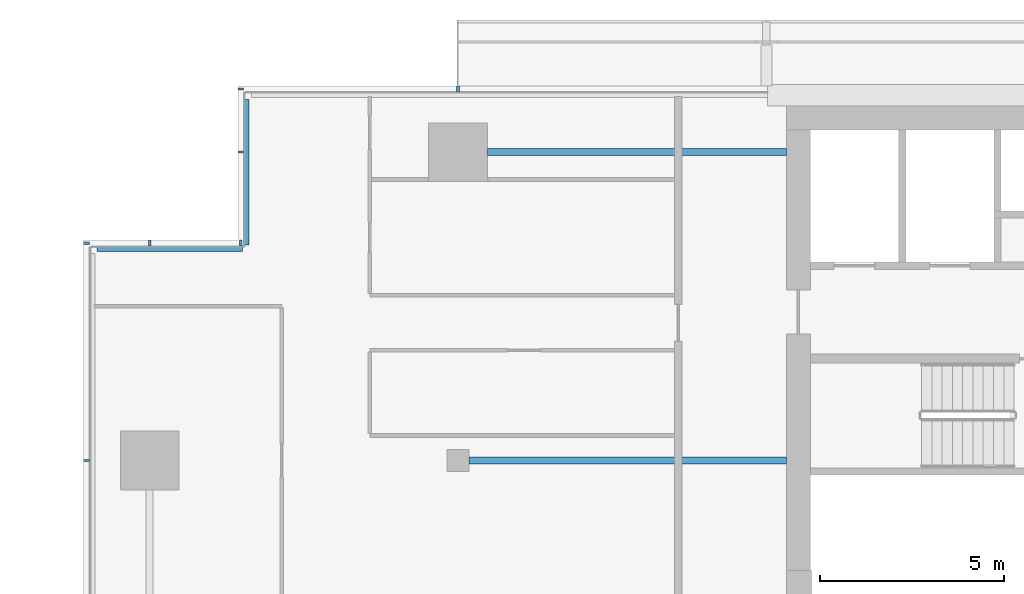
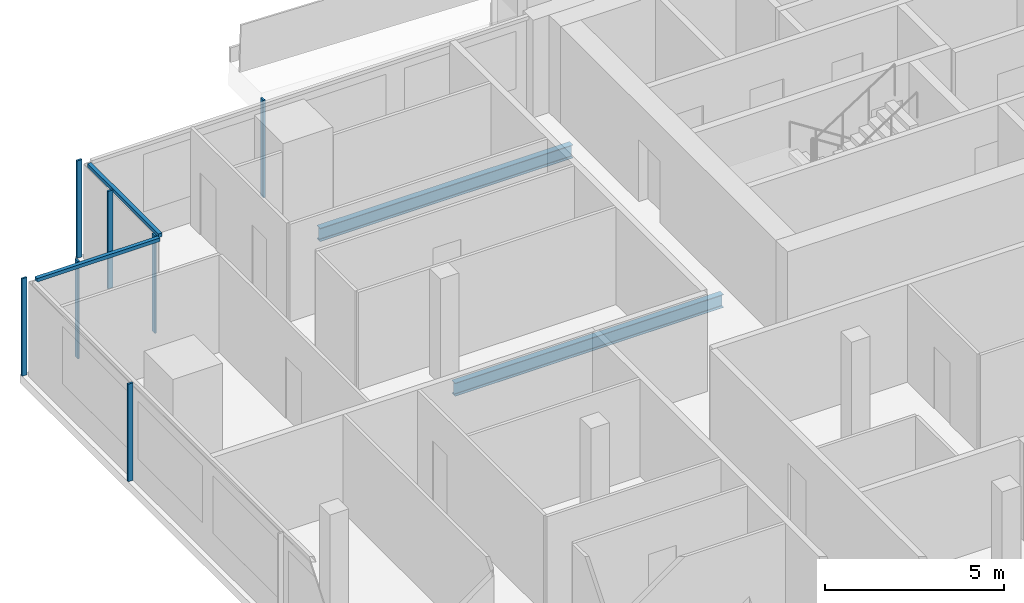
# One storey, part 8 of 27: 9 members, 2 beams, 4 elements without a shape of their own.
"""IFC4 building model written with IfcOpenShell, lengths in metres."""

from ifc_helpers import new_model, si_unit, direction, frame, origin, origin_2d, place, context, subcontext, project, spatial, rectangle, i_section, extrude, material, material_profile, profile_set, type_object, element, aggregate, save


model = new_model("IFC4")

# Units and contexts
model_context = context("Model", 3, precision=1e-05, world=origin(), true_north=direction((0.0, 1.0)))
body_context = subcontext(model_context, "Body", "Model", "MODEL_VIEW")
ifc_project = project(units=[si_unit("LENGTHUNIT", "METRE"), si_unit("AREAUNIT", "SQUARE_METRE"), si_unit("VOLUMEUNIT", "CUBIC_METRE"), si_unit("PLANEANGLEUNIT", "RADIAN"), si_unit("MASSUNIT", "GRAM", prefix="KILO")], contexts=[model_context])

# Site, building, storey
site_placement = place(None, origin())
site = spatial("IfcSite", under=ifc_project, at=site_placement, CompositionType="ELEMENT")
building_placement = place(site_placement, origin())
building = spatial("IfcBuilding", under=site, at=building_placement, Name="Saffron Gate Tower", CompositionType="ELEMENT")
storey_placement = place(building_placement, frame((0.0, 0.0, 234.300048828125)))
storey = spatial("IfcBuildingStorey", under=building, at=storey_placement, Name="L57", CompositionType="ELEMENT", Elevation=234.300048828125)

# Beams
ifc_material_1 = material(Name="Structural steel S355", Category="steel")
ifc_material_profile_1 = material_profile(ifc_material_1, i_section(OverallWidth=0.18994140625, OverallDepth=0.449951171875, WebThickness=0.009521484375, FlangeThickness=0.0146484375, FilletRadius=0.02099609375, at=origin_2d()))
ifc_profile_set_1 = profile_set([ifc_material_profile_1], Name="Structural steel S355")
beam_type = type_object("IfcBeamType", Name="B6 IPE 450", PredefinedType="BEAM", material=ifc_profile_set_1)
beam_1_placement = place(storey_placement, frame((58.5, 65.39990234375, -0.505126953125), z_axis=(1.0, 0.0, 0.0), x_axis=(0.0, 1.0, 0.0)))
element("IfcBeam", 1, at=beam_1_placement, inside=storey, type_object=beam_type, Name="B6 CORE TIE BEAM", PredefinedType="BEAM", context=body_context, shape_type="SweptSolid", body=[
    extrude(i_section(OverallWidth=0.18994140625, OverallDepth=0.449951171875, WebThickness=0.009521484375, FlangeThickness=0.0146484375, FilletRadius=0.02099609375, at=origin_2d()), origin(), (0.0, 0.0, 1.0), 8.64990234375),
])
beam_2_placement = place(storey_placement, frame((59.0, 73.800048828125, -0.505126953125), z_axis=(1.0, 0.0, 0.0), x_axis=(0.0, 1.0, 0.0)))
element("IfcBeam", 2, at=beam_2_placement, inside=storey, type_object=beam_type, Name="B6 CORE TIE BEAM", PredefinedType="BEAM", context=body_context, shape_type="SweptSolid", body=[
    extrude(i_section(OverallWidth=0.18994140625, OverallDepth=0.449951171875, WebThickness=0.009521484375, FlangeThickness=0.0146484375, FilletRadius=0.02099609375, at=origin_2d()), origin(), (0.0, 0.0, 1.0), 8.14990234375),
])

# Curtain wall, members
ifc_material_2 = material(Name="Aluminium, bronze anodised", Category="aluminium")
curtain_wall_type_1 = type_object("IfcCurtainWallType", Name="CWS2 curtain wall side facades", PredefinedType="NOTDEFINED", material=ifc_material_2)
curtain_wall_1_placement = place(storey_placement, origin())
curtain_wall_1 = element("IfcCurtainWall", 3, at=curtain_wall_1_placement, inside=storey, type_object=curtain_wall_type_1, Name="CWS2 run 10", PredefinedType="NOTDEFINED")
ifc_material_profile_2 = material_profile(ifc_material_2, rectangle(XDim=0.159912109375, YDim=0.06005859375, at=origin_2d()))
ifc_profile_set_2 = profile_set([ifc_material_profile_2], Name="Aluminium, bronze anodised")
member_type_1 = type_object("IfcMemberType", Name="CWS2 mullion 60x160", PredefinedType="MULLION", material=ifc_profile_set_2)
member_1_placement = place(storey_placement, frame((48.080078125, 71.320068359375, 0.0), z_axis=(0.0, 0.0, 1.0), x_axis=(1.0, 0.0, 0.0)))
member_1 = element("IfcMember", 4, at=member_1_placement, type_object=member_type_1, Name="CWS2 mullion 1", PredefinedType="MULLION", context=body_context, shape_type="SweptSolid", body=[
    extrude(rectangle(XDim=0.159912109375, YDim=0.06005859375, at=origin_2d()), origin(), (0.0, 0.0, 1.0), 3.320068359375),
])
member_2_placement = place(storey_placement, frame((48.080078125, 65.39990234375, 0.0), z_axis=(0.0, 0.0, 1.0), x_axis=(1.0, 0.0, 0.0)))
member_2 = element("IfcMember", 5, at=member_2_placement, type_object=member_type_1, Name="CWS2 mullion 2", PredefinedType="MULLION", context=body_context, shape_type="SweptSolid", body=[
    extrude(rectangle(XDim=0.159912109375, YDim=0.06005859375, at=origin_2d()), origin(), (0.0, 0.0, 1.0), 3.320068359375),
])
aggregate(curtain_wall_1, [member_1, member_2])

# Curtain wall, member
curtain_wall_type_2 = type_object("IfcCurtainWallType", Name="CWS3 curtain wall rear facade", PredefinedType="NOTDEFINED", material=ifc_material_2)
curtain_wall_2_placement = place(storey_placement, origin())
curtain_wall_2 = element("IfcCurtainWall", 6, at=curtain_wall_2_placement, inside=storey, type_object=curtain_wall_type_2, Name="CWS3 run 7", PredefinedType="NOTDEFINED")
ifc_material_profile_3 = material_profile(ifc_material_2, rectangle(XDim=0.159912109375, YDim=0.070068359375, at=origin_2d()))
ifc_profile_set_3 = profile_set([ifc_material_profile_3], Name="Aluminium, bronze anodised")
member_type_2 = type_object("IfcMemberType", Name="CWS3 mullion 70x160", PredefinedType="MULLION", material=ifc_profile_set_3)
member_3_placement = place(storey_placement, frame((58.199951171875, 75.52001953125, 0.0), z_axis=(0.0, 0.0, 1.0), x_axis=(0.0, -1.0, 0.0)))
member_3 = element("IfcMember", 7, at=member_3_placement, type_object=member_type_2, Name="CWS3 mullion 9", PredefinedType="MULLION", context=body_context, shape_type="SweptSolid", body=[
    extrude(rectangle(XDim=0.159912109375, YDim=0.070068359375, at=origin_2d()), origin(), (0.0, 0.0, 1.0), 3.320068359375),
])
aggregate(curtain_wall_2, [member_3])

curtain_wall_type_3 = type_object("IfcCurtainWallType", Name="CWS4 curtain wall corner returns", PredefinedType="NOTDEFINED", material=ifc_material_2)
curtain_wall_3_placement = place(storey_placement, origin())
curtain_wall_3 = element("IfcCurtainWall", 8, at=curtain_wall_3_placement, inside=storey, type_object=curtain_wall_type_3, Name="CWS4 run 8", PredefinedType="NOTDEFINED")
ifc_material_profile_4 = material_profile(ifc_material_2, rectangle(XDim=0.1201171875, YDim=0.1201171875, at=origin_2d()))
ifc_profile_set_4 = profile_set([ifc_material_profile_4], Name="Aluminium, bronze anodised")
member_type_3 = type_object("IfcMemberType", Name="CWS4 head transom", PredefinedType="USERDEFINED", material=ifc_profile_set_4)
member_4_placement = place(storey_placement, frame((52.447998046875, 75.23193359375, 3.260009765625), z_axis=(0.0, -1.0, 0.0), x_axis=(1.0, 0.0, 0.0)))
member_4 = element("IfcMember", 9, at=member_4_placement, type_object=member_type_3, Name="CWS4 head transom", ObjectType="TRANSOM", PredefinedType="USERDEFINED", context=body_context, shape_type="SweptSolid", body=[
    extrude(rectangle(XDim=0.1201171875, YDim=0.1201171875, at=origin_2d()), origin(), (0.0, 0.0, 1.0), 3.9599609375),
])

curtain_wall_4_placement = place(storey_placement, origin())
curtain_wall_4 = element("IfcCurtainWall", 10, at=curtain_wall_4_placement, inside=storey, type_object=curtain_wall_type_3, Name="CWS4 run 9", PredefinedType="NOTDEFINED")
member_5_placement = place(storey_placement, frame((52.327880859375, 71.152099609375, 3.260009765625), z_axis=(-1.0, 0.0, 0.0), x_axis=(0.0, -1.0, 0.0)))
member_5 = element("IfcMember", 11, at=member_5_placement, type_object=member_type_3, Name="CWS4 head transom", ObjectType="TRANSOM", PredefinedType="USERDEFINED", context=body_context, shape_type="SweptSolid", body=[
    extrude(rectangle(XDim=0.1201171875, YDim=0.1201171875, at=origin_2d()), origin(), (0.0, 0.0, 1.0), 3.9599609375),
])

# Member
ifc_material_profile_5 = material_profile(ifc_material_2, rectangle(XDim=0.159912109375, YDim=0.06005859375, at=origin_2d()))
ifc_profile_set_5 = profile_set([ifc_material_profile_5], Name="Aluminium, bronze anodised")
member_type_4 = type_object("IfcMemberType", Name="CWS4 mullion 60x160", PredefinedType="MULLION", material=ifc_profile_set_5)
member_6_placement = place(storey_placement, frame((52.280029296875, 75.52001953125, 0.0), z_axis=(0.0, 0.0, 1.0), x_axis=(1.0, 0.0, 0.0)))
member_6 = element("IfcMember", 12, at=member_6_placement, type_object=member_type_4, Name="CWS4 mullion 1", PredefinedType="MULLION", context=body_context, shape_type="SweptSolid", body=[
    extrude(rectangle(XDim=0.159912109375, YDim=0.06005859375, at=origin_2d()), origin(), (0.0, 0.0, 1.0), 3.320068359375),
])

member_7_placement = place(storey_placement, frame((52.280029296875, 73.800048828125, 0.0), z_axis=(0.0, 0.0, 1.0), x_axis=(1.0, 0.0, 0.0)))
member_7 = element("IfcMember", 13, at=member_7_placement, type_object=member_type_4, Name="CWS4 mullion 2", PredefinedType="MULLION", context=body_context, shape_type="SweptSolid", body=[
    extrude(rectangle(XDim=0.159912109375, YDim=0.06005859375, at=origin_2d()), origin(), (0.0, 0.0, 1.0), 3.320068359375),
])

aggregate(curtain_wall_3, [member_6, member_7, member_4])

member_8_placement = place(storey_placement, frame((52.280029296875, 71.320068359375, 0.0), z_axis=(0.0, 0.0, 1.0), x_axis=(0.0, -1.0, 0.0)))
member_8 = element("IfcMember", 14, at=member_8_placement, type_object=member_type_4, Name="CWS4 mullion 1", PredefinedType="MULLION", context=body_context, shape_type="SweptSolid", body=[
    extrude(rectangle(XDim=0.159912109375, YDim=0.06005859375, at=origin_2d()), origin(), (0.0, 0.0, 1.0), 3.320068359375),
])

member_9_placement = place(storey_placement, frame((49.800048828125, 71.320068359375, 0.0), z_axis=(0.0, 0.0, 1.0), x_axis=(0.0, -1.0, 0.0)))
member_9 = element("IfcMember", 15, at=member_9_placement, type_object=member_type_4, Name="CWS4 mullion 2", PredefinedType="MULLION", context=body_context, shape_type="SweptSolid", body=[
    extrude(rectangle(XDim=0.159912109375, YDim=0.06005859375, at=origin_2d()), origin(), (0.0, 0.0, 1.0), 3.320068359375),
])

aggregate(curtain_wall_4, [member_8, member_9, member_5])

save(model, "model.ifc")
